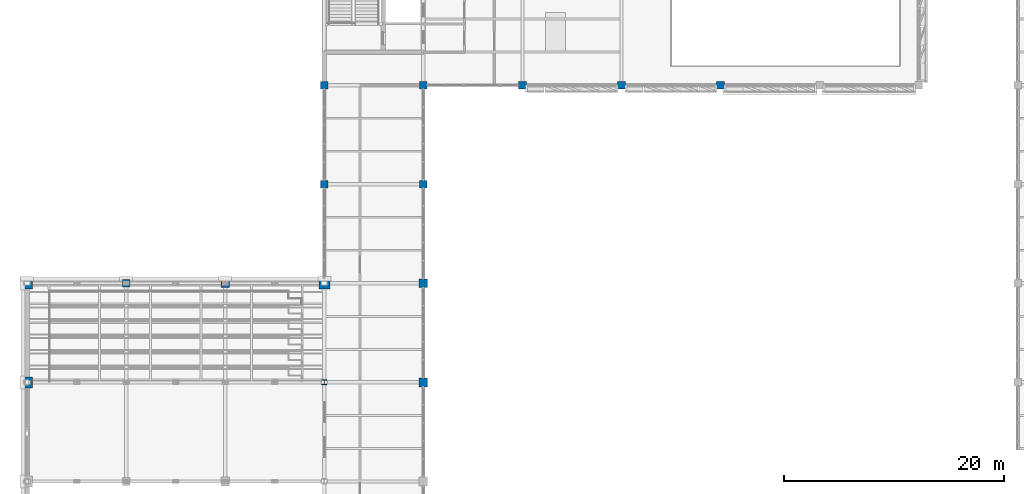
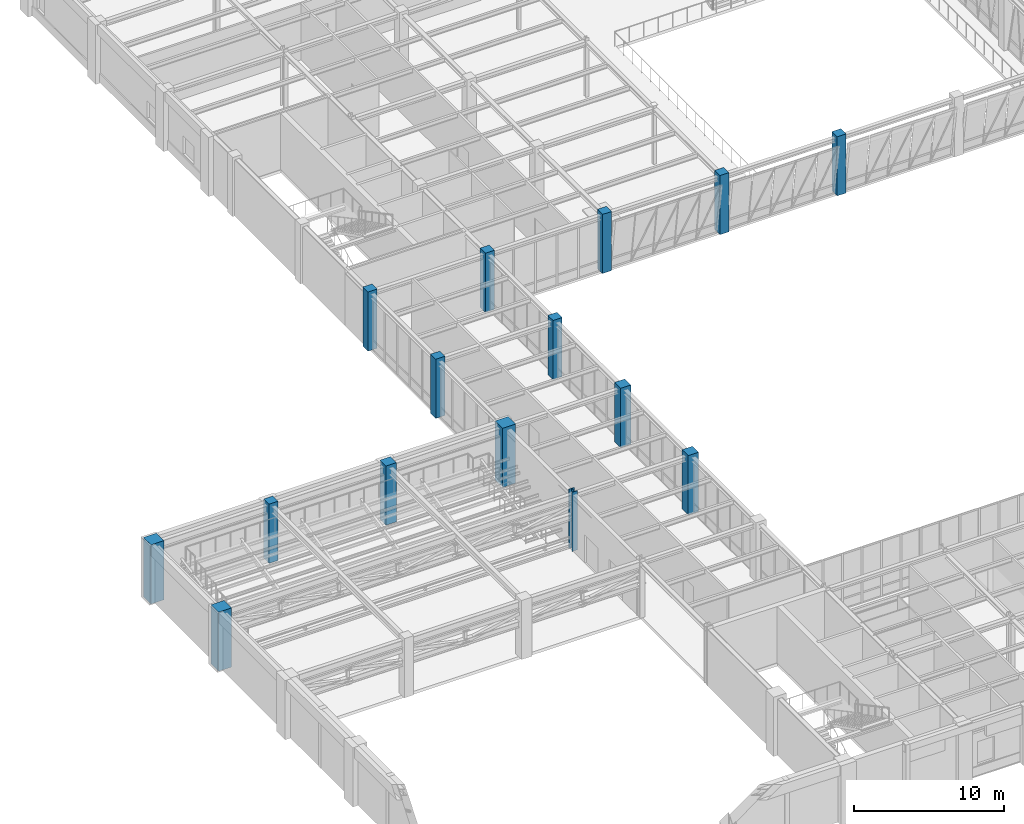
# One storey, part 3 of 92: 15 columns.
"""IFC4 building model written with IfcOpenShell, lengths in metres."""

from ifc_helpers import new_model, si_unit, direction, frame, origin, origin_2d, place, context, subcontext, project, spatial, rectangle, i_section, extrude, material, material_profile, profile_set, type_object, element, save


model = new_model("IFC4")

# Units and contexts
model_context = context("Model", 3, precision=1e-05, world=origin(), true_north=direction((0.0, 1.0)))
body_context = subcontext(model_context, "Body", "Model", "MODEL_VIEW")
ifc_project = project(units=[si_unit("LENGTHUNIT", "METRE"), si_unit("AREAUNIT", "SQUARE_METRE"), si_unit("VOLUMEUNIT", "CUBIC_METRE"), si_unit("PLANEANGLEUNIT", "RADIAN"), si_unit("MASSUNIT", "GRAM", prefix="KILO")], contexts=[model_context])

# Site, building, storey
site_placement = place(None, origin())
site = spatial("IfcSite", under=ifc_project, at=site_placement, CompositionType="ELEMENT")
building_placement = place(site_placement, origin())
building = spatial("IfcBuilding", under=site, at=building_placement, Name="Lykobir Media Centre", CompositionType="ELEMENT")
storey_placement = place(building_placement, frame((0.0, 0.0, 5.39990234375)))
storey = spatial("IfcBuildingStorey", under=building, at=storey_placement, Name="L01", CompositionType="ELEMENT", Elevation=5.39990234375)

# Columns
ifc_material_1 = material(Name="Concrete C40/50", Category="concrete")
ifc_material_profile_1 = material_profile(ifc_material_1, rectangle(XDim=1.0, YDim=1.0, at=origin_2d()), Name="RC 1000x1000")
ifc_profile_set_1 = profile_set([ifc_material_profile_1], Name="Concrete C40/50")
column_type_1 = type_object("IfcColumnType", Name="RC-C1000", PredefinedType="COLUMN", material=ifc_profile_set_1)
column_1_placement = place(storey_placement, frame((27.0, 45.0, 0.0), z_axis=(0.0, 0.0, 1.0), x_axis=(1.0, 0.0, 0.0)))
element("IfcColumn", 1, at=column_1_placement, inside=storey, type_object=column_type_1, Name="Column COL-L01-0270-0450", PredefinedType="COLUMN", context=body_context, shape_type="SweptSolid", body=[
    extrude(rectangle(XDim=1.0, YDim=1.0, at=origin_2d()), origin(), (0.0, 0.0, 1.0), 4.800048828125),
])
ifc_material_profile_2 = material_profile(ifc_material_1, rectangle(XDim=1.0, YDim=1.0, at=origin_2d()), Name="RC 1000x1000")
ifc_profile_set_2 = profile_set([ifc_material_profile_2], Name="Concrete C40/50")
column_type_2 = type_object("IfcColumnType", Name="RC-C1000-E", PredefinedType="COLUMN", material=ifc_profile_set_2)
for number, where, z_axis, x_axis, name in (
    (2, (0.0, 36.0, 0.0), (0.0, 0.0, 1.0), (1.0, 0.0, 0.0), "Column COL-L01-0000-0360"),
    (3, (0.0, 45.0, 0.0), (0.0, 0.0, 1.0), (1.0, 0.0, 0.0), "Column COL-L01-0000-0450"),
):
    element("IfcColumn", number, at=place(storey_placement, frame(where, z_axis=z_axis, x_axis=x_axis)), inside=storey, type_object=column_type_2, Name=name, PredefinedType="COLUMN", context=body_context, shape_type="SweptSolid", body=[
        extrude(rectangle(XDim=1.0, YDim=1.0, at=origin_2d()), origin(), (0.0, 0.0, 1.0), 4.800048828125),
    ])
ifc_material_profile_3 = material_profile(ifc_material_1, rectangle(XDim=0.699951171875, YDim=0.699951171875, at=origin_2d()), Name="RC 700x700")
ifc_profile_set_3 = profile_set([ifc_material_profile_3], Name="Concrete C40/50")
column_type_3 = type_object("IfcColumnType", Name="RC-C700", PredefinedType="COLUMN", material=ifc_profile_set_3)
for number, where, z_axis, x_axis, name in (
    (4, (9.0, 45.0, 0.0), (0.0, 0.0, 1.0), (1.0, 0.0, 0.0), "Column COL-L01-0090-0450"),
    (5, (27.0, 54.0, 0.0), (0.0, 0.0, 1.0), (1.0, 0.0, 0.0), "Column COL-L01-0270-0540"),
    (6, (27.0, 63.0, 0.0), (0.0, 0.0, 1.0), (1.0, 0.0, 0.0), "Column COL-L01-0270-0630"),
    (7, (36.0, 54.0, 0.0), (0.0, 0.0, 1.0), (1.0, 0.0, 0.0), "Column COL-L01-0360-0540"),
    (8, (36.0, 63.0, 0.0), (0.0, 0.0, 1.0), (1.0, 0.0, 0.0), "Column COL-L01-0360-0630"),
    (9, (45.0, 63.0, 0.0), (0.0, 0.0, 1.0), (1.0, 0.0, 0.0), "Column COL-L01-0450-0630"),
    (10, (54.0, 63.0, 0.0), (0.0, 0.0, 1.0), (1.0, 0.0, 0.0), "Column COL-L01-0540-0630"),
    (11, (63.0, 63.0, 0.0), (0.0, 0.0, 1.0), (1.0, 0.0, 0.0), "Column COL-L01-0630-0630"),
):
    element("IfcColumn", number, at=place(storey_placement, frame(where, z_axis=z_axis, x_axis=x_axis)), inside=storey, type_object=column_type_3, Name=name, PredefinedType="COLUMN", context=body_context, shape_type="SweptSolid", body=[
        extrude(rectangle(XDim=0.699951171875, YDim=0.699951171875, at=origin_2d()), origin(), (0.0, 0.0, 1.0), 4.800048828125),
    ])
ifc_material_profile_4 = material_profile(ifc_material_1, rectangle(XDim=0.800048828125, YDim=0.800048828125, at=origin_2d()), Name="RC 800x800")
ifc_profile_set_4 = profile_set([ifc_material_profile_4], Name="Concrete C40/50")
column_type_4 = type_object("IfcColumnType", Name="RC-C800", PredefinedType="COLUMN", material=ifc_profile_set_4)
for number, where, z_axis, x_axis, name in (
    (12, (18.0, 45.0, 0.0), (0.0, 0.0, 1.0), (1.0, 0.0, 0.0), "Column COL-L01-0180-0450"),
    (13, (36.0, 36.0, 0.0), (0.0, 0.0, 1.0), (1.0, 0.0, 0.0), "Column COL-L01-0360-0360"),
    (14, (36.0, 45.0, 0.0), (0.0, 0.0, 1.0), (1.0, 0.0, 0.0), "Column COL-L01-0360-0450"),
):
    element("IfcColumn", number, at=place(storey_placement, frame(where, z_axis=z_axis, x_axis=x_axis)), inside=storey, type_object=column_type_4, Name=name, PredefinedType="COLUMN", context=body_context, shape_type="SweptSolid", body=[
        extrude(rectangle(XDim=0.800048828125, YDim=0.800048828125, at=origin_2d()), origin(), (0.0, 0.0, 1.0), 4.800048828125),
    ])
ifc_material_2 = material(Name="Steel S355", Category="steel")
ifc_material_profile_5 = material_profile(ifc_material_2, i_section(OverallWidth=0.416015625, OverallDepth=0.446044921875, WebThickness=0.02490234375, FlangeThickness=0.0400390625, at=origin_2d()), Name="HD 400x509")
ifc_profile_set_5 = profile_set([ifc_material_profile_5], Name="Steel S355")
column_type_5 = type_object("IfcColumnType", Name="SC-HD509", PredefinedType="COLUMN", material=ifc_profile_set_5)
column_2_placement = place(storey_placement, frame((27.0, 36.0, 0.0), z_axis=(0.0, 0.0, 1.0), x_axis=(1.0, 0.0, 0.0)))
element("IfcColumn", 15, at=column_2_placement, inside=storey, type_object=column_type_5, Name="Column COL-L01-0270-0360", PredefinedType="COLUMN", context=body_context, shape_type="SweptSolid", body=[
    extrude(i_section(OverallWidth=0.416015625, OverallDepth=0.446044921875, WebThickness=0.02490234375, FlangeThickness=0.0400390625, at=origin_2d()), origin(), (0.0, 0.0, 1.0), 4.800048828125),
])

save(model, "model.ifc")
